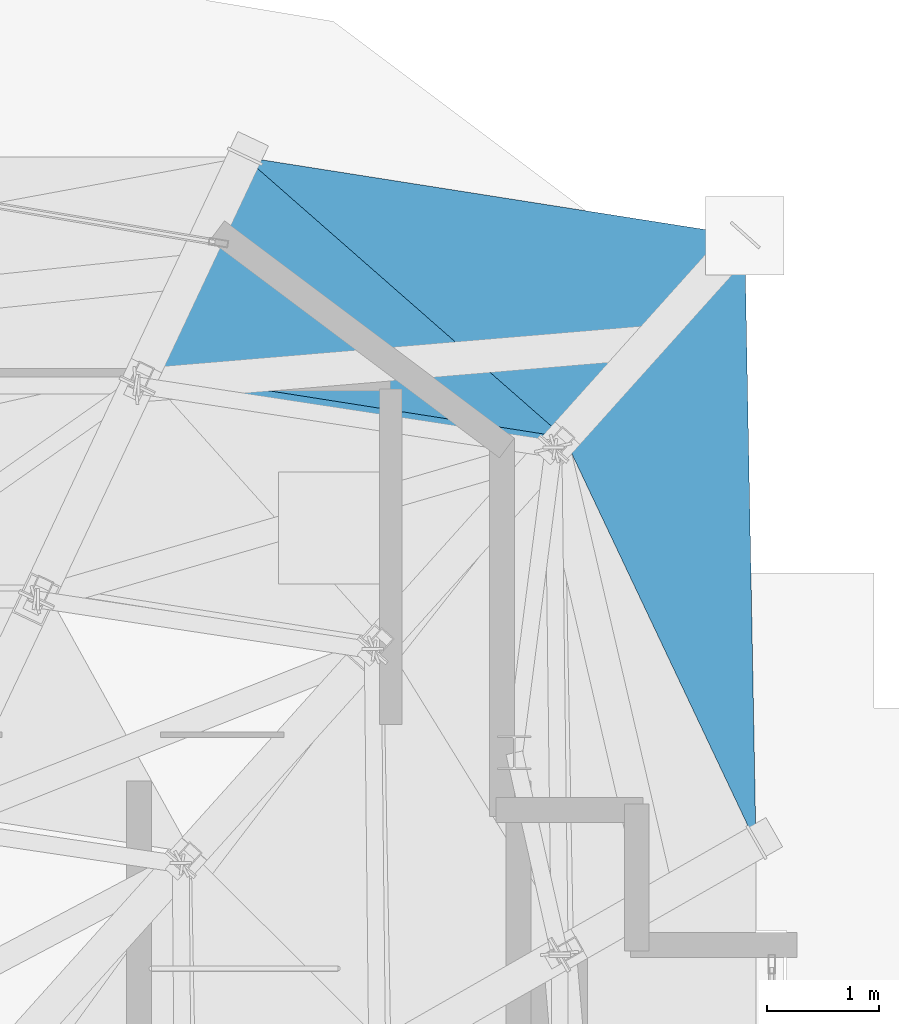
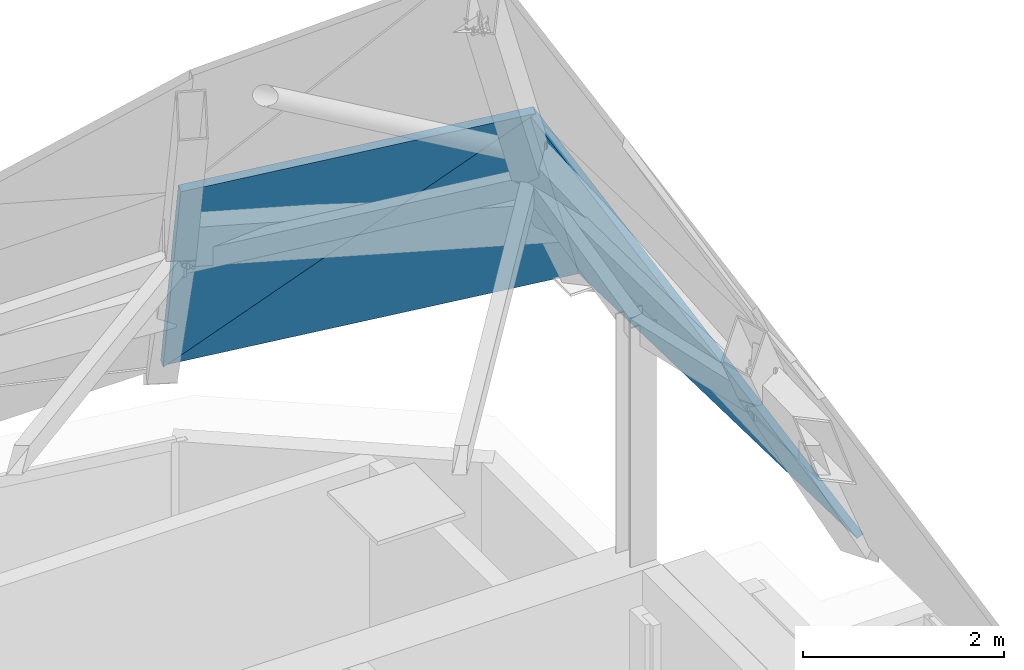
# One storey, part 29 of 30: 3 roofs.
"""IFC4 building model written with IfcOpenShell, lengths in metres."""

from ifc_helpers import new_model, si_unit, direction, frame, origin, place, context, subcontext, project, spatial, polyline, outline, extrude, material, layer, layer_set, type_object, element, save


model = new_model("IFC4")

# Units and contexts
model_context = context("Model", 3, precision=1e-05, world=origin(), true_north=direction((0.0, 1.0)))
body_context = subcontext(model_context, "Body", "Model", "MODEL_VIEW")
ifc_project = project(units=[si_unit("LENGTHUNIT", "METRE"), si_unit("AREAUNIT", "SQUARE_METRE"), si_unit("VOLUMEUNIT", "CUBIC_METRE"), si_unit("PLANEANGLEUNIT", "RADIAN"), si_unit("MASSUNIT", "GRAM", prefix="KILO")], contexts=[model_context])

# Site, building, storey
site_placement = place(None, origin())
site = spatial("IfcSite", under=ifc_project, at=site_placement, CompositionType="ELEMENT")
building_placement = place(site_placement, origin())
building = spatial("IfcBuilding", under=site, at=building_placement, Name="Haolan Belvedere Tower", CompositionType="ELEMENT")
storey_placement = place(building_placement, frame((0.0, 0.0, 333.0)))
storey = spatial("IfcBuildingStorey", under=building, at=storey_placement, Name="L83", CompositionType="ELEMENT", Elevation=333.0)

# Roofs
ifc_material_1 = material(Name="Double Low-E fritted laminated crown glazing", Category="glass")
ifc_layer_1 = layer(ifc_material_1, 0.06005859375, Name="Double Low-E fritted laminated crown glazing")
ifc_layer_set_1 = layer_set([ifc_layer_1], Name="Double Low-E fritted laminated crown glazing")
roof_type_1 = type_object("IfcRoofType", Name="ROOF-CRN-GLZ", PredefinedType="GABLE_ROOF", material=ifc_layer_set_1)
roof_1_placement = place(storey_placement, frame((48.449951171875, 47.800048828125, 4.800048828125), z_axis=(0.135506498548, 0.861484809568, 0.489368891262), x_axis=(-0.987854198714, 0.155383660927, 0.0)))
element("IfcRoof", 1, at=roof_1_placement, inside=storey, type_object=roof_type_1, Name="Crown glass-point glazed facet T1-07.1", PredefinedType="GABLE_ROOF", context=body_context, shape_type="SweptSolid", body=[
    extrude(outline(polyline([(0.0, 0.0), (4.504663924765183, 5.551115123125783e-17), (1.3099344925605134, 4.1279084328253735), (0.0, 0.0)])), origin(), (0.0, 0.0, -1.0), 0.06005859375),
])
ifc_material_2 = material(Name="Anodised pale-metal aluminium and laminated Low-E crown glass", Category="aluminium")
ifc_layer_2 = layer(ifc_material_2, 0.080078125, Name="Anodised pale-metal aluminium and laminated Low-E crown glass")
ifc_layer_set_2 = layer_set([ifc_layer_2], Name="Anodised pale-metal aluminium and laminated Low-E crown glass")
roof_type_2 = type_object("IfcRoofType", Name="ROOF-CRN-HIP", PredefinedType="HIP_ROOF", material=ifc_layer_set_2)
roof_2_placement = place(storey_placement, frame((48.550048828125, 42.39990234375, 4.800048828125), z_axis=(0.909776652082, 0.016863711169, 0.414755420183), x_axis=(-0.018532916624, 0.999828250752, 0.0)))
element("IfcRoof", 2, at=roof_2_placement, inside=storey, type_object=roof_type_2, Name="Crown glass-point sloped hip facet T1-06.1", PredefinedType="HIP_ROOF", context=body_context, shape_type="SweptSolid", body=[
    extrude(outline(polyline([(0.0, 0.0), (5.401074114793688, 0.0), (3.639188965469479, 3.956174556965531), (0.0, 0.0)])), origin(), (0.0, 0.0, -1.0), 0.080078125),
])
roof_3_placement = place(storey_placement, frame((44.0, 48.5, 4.800048828125), z_axis=(0.135487280332, 0.861480792839, 0.489381283294), x_axis=(-0.214877850895, -0.456630070607, 0.863317142082)))
element("IfcRoof", 3, at=roof_3_placement, inside=storey, type_object=roof_type_2, Name="Crown glass-point sloped hip facet T1-07.2", PredefinedType="HIP_ROOF", context=body_context, shape_type="SweptSolid", body=[
    extrude(outline(polyline([(0.0, 0.0), (4.169792698594721, 0.0), (3.635019855570805, 3.746005182109552), (0.0, 0.0)])), origin(), (0.0, 0.0, -1.0), 0.080078125),
])

save(model, "model.ifc")
